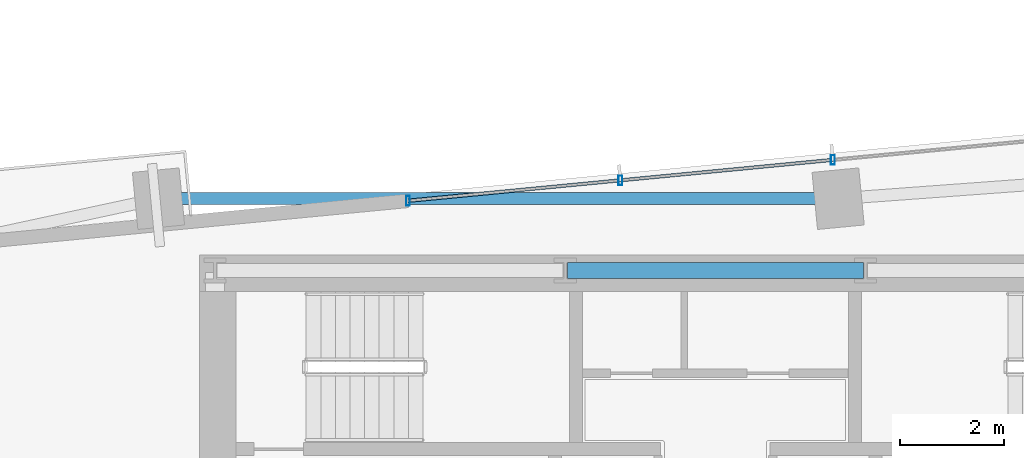
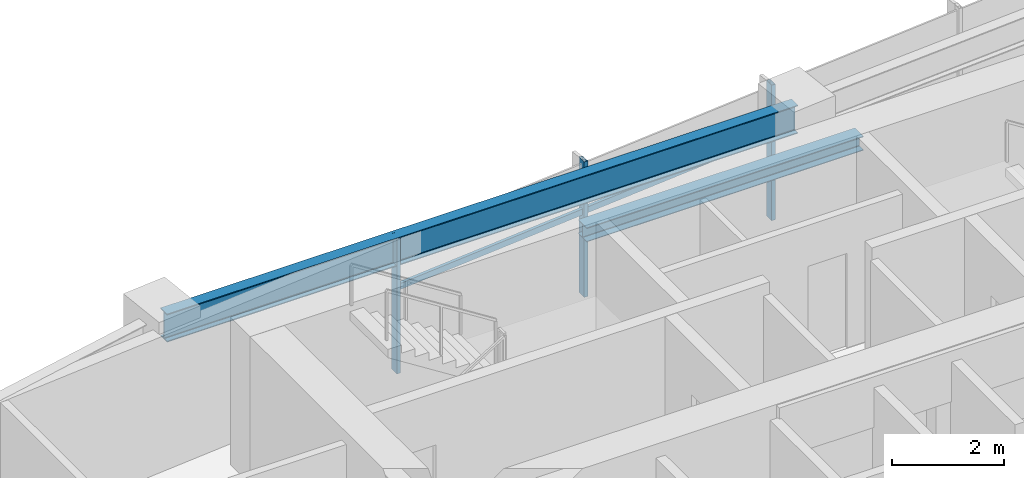
# One storey, part 10 of 25: 5 members, 2 beams, 1 element without a shape of its own.
"""IFC4 building model written with IfcOpenShell, lengths in metres."""

import ifcopenshell
import ifcopenshell.guid

model = None  # the IFC model being written
_history = None  # IfcOwnerHistory: only IFC2X3 demands one
_inside = {}  # id of a spatial element -> (the spatial element, [elements in it])
_under = {}  # id of a project, library or spatial element -> (it, [spatial elements below it])
_declared = {}  # id of a project -> (the project, [libraries it declares])
_typed = {}  # id of a type object -> (the type object, [elements of that type])
_made_of = {}  # id of a material, layer set ... -> (it, [elements and type objects made of it])


def new_model(schema):
    """Start an empty IFC model of exactly this schema.

    Asked for "IFC4X3", IfcOpenShell would pick the latest addendum, in which some entities
    have other attributes; the version numbers below select the first issue.
    IFC2X3 requires an IfcOwnerHistory on every rooted entity: one is made here for all.
    """
    global model, _history
    if schema == "IFC4X3":
        model = ifcopenshell.file(schema_version=(4, 3, 0, 0))
    else:
        model = ifcopenshell.file(schema=schema)
    _inside.clear()
    _under.clear()
    _declared.clear()
    _typed.clear()
    _made_of.clear()
    _history = None
    if model.schema == "IFC2X3":
        org = make("IfcOrganization", Name="unknown")
        user = make(
            "IfcPersonAndOrganization",
            ThePerson=make("IfcPerson", FamilyName="unknown"),
            TheOrganization=org,
        )
        app = make(
            "IfcApplication",
            ApplicationDeveloper=org,
            Version="unknown",
            ApplicationFullName="unknown",
            ApplicationIdentifier="unknown",
        )
        _history = make(
            "IfcOwnerHistory",
            OwningUser=user,
            OwningApplication=app,
            ChangeAction="ADDED",
            CreationDate=0,
        )
    return model


def make(cls, **values):
    """One entity of the class cls with the attributes given. An attribute that is None is left unset."""
    return model.create_entity(
        cls, **{name: value for name, value in values.items() if value is not None}
    )


def rooted(cls, **values):
    """An entity with a GlobalId (a new one), such as an element, a storey or a relation."""
    return make(cls, GlobalId=ifcopenshell.guid.new(), OwnerHistory=_history, **values)


def si_unit(unit_type, name, prefix=None):
    """IfcSIUnit, for example si_unit("LENGTHUNIT", "METRE", prefix="MILLI")."""
    return make("IfcSIUnit", UnitType=unit_type, Prefix=prefix, Name=name)


def assignment(units):
    """IfcUnitAssignment: the units of a project."""
    return None if units is None else make("IfcUnitAssignment", Units=units)


def point(xyz):
    """IfcCartesianPoint."""
    return None if xyz is None else make("IfcCartesianPoint", Coordinates=xyz)


def direction(xyz):
    """IfcDirection."""
    return None if xyz is None else make("IfcDirection", DirectionRatios=xyz)


def frame(location, z_axis=None, x_axis=None):
    """IfcAxis2Placement3D, a coordinate frame: its origin and axes. An axis left out is left unset."""
    return make(
        "IfcAxis2Placement3D",
        Location=point(location),
        Axis=direction(z_axis),
        RefDirection=direction(x_axis),
    )


def frame_2d(location, x_axis=None):
    """IfcAxis2Placement2D, a coordinate frame in the plane: its origin and x axis."""
    return make(
        "IfcAxis2Placement2D", Location=point(location), RefDirection=direction(x_axis)
    )


def origin():
    """The frame at (0, 0, 0) with its axes left unset."""
    return frame((0.0, 0.0, 0.0))


def origin_2d():
    """The frame at (0, 0) in the plane with its x axis left unset."""
    return frame_2d((0.0, 0.0))


def place(relative_to, where):
    """IfcLocalPlacement: puts the frame where relative to a parent placement (None: the world)."""
    return make(
        "IfcLocalPlacement", PlacementRelTo=relative_to, RelativePlacement=where
    )


def context(
    kind, dimensions, precision=None, world=None, true_north=None, identifier=None
):
    """IfcGeometricRepresentationContext, for example the 3D "Model" context."""
    return make(
        "IfcGeometricRepresentationContext",
        ContextIdentifier=identifier,
        ContextType=kind,
        CoordinateSpaceDimension=dimensions,
        Precision=precision,
        WorldCoordinateSystem=world,
        TrueNorth=true_north,
    )


def subcontext(parent, identifier, kind, view, scale=None):
    """IfcGeometricRepresentationSubContext, for example "Body" below "Model"."""
    return make(
        "IfcGeometricRepresentationSubContext",
        ContextIdentifier=identifier,
        ContextType=kind,
        ParentContext=parent,
        TargetScale=scale,
        TargetView=view,
    )


def project(units=None, contexts=None):
    """IfcProject with its units and contexts."""
    return rooted(
        "IfcProject",
        Name="project",
        RepresentationContexts=contexts,
        UnitsInContext=assignment(units),
    )


def spatial(cls, under=None, at=None, **own):
    """A site, building, storey or space (cls), placed at a placement, below another one or the project."""
    s = rooted(cls, ObjectPlacement=at, **own)
    if under is not None:
        _under.setdefault(under.id(), (under, []))[1].append(s)
    return s


def profile(cls, at=None, kind="AREA", **sizes):
    """A parametric profile (cls). Its sizes go by their IFC names, for example OverallWidth=200.0."""
    return make(cls, ProfileType=kind, Position=at, **sizes)


def hollow_rectangle(**sizes):
    """IfcRectangleHollowProfileDef."""
    return profile("IfcRectangleHollowProfileDef", **sizes)


def i_section(**sizes):
    """IfcIShapeProfileDef."""
    return profile("IfcIShapeProfileDef", **sizes)


def extrude(swept, where, along, depth):
    """IfcExtrudedAreaSolid: the profile swept, set in the frame where, extruded along a direction by depth."""
    return make(
        "IfcExtrudedAreaSolid",
        SweptArea=swept,
        Position=where,
        ExtrudedDirection=direction(along),
        Depth=depth,
    )


def shape(context_of_items, identifier, shape_type, items):
    """IfcShapeRepresentation: the items that make up one representation, for example the "Body"."""
    return make(
        "IfcShapeRepresentation",
        ContextOfItems=context_of_items,
        RepresentationIdentifier=identifier,
        RepresentationType=shape_type,
        Items=items,
    )


def source(mapping_origin, context_of_items, identifier, shape_type, items):
    """IfcRepresentationMap: a shape defined once, which mapped items show again and again."""
    return make(
        "IfcRepresentationMap",
        MappingOrigin=mapping_origin,
        MappedRepresentation=shape(context_of_items, identifier, shape_type, items),
    )


def transform(
    local_origin,
    x_axis=None,
    y_axis=None,
    z_axis=None,
    scale=None,
    scale2=None,
    scale3=None,
    uniform=True,
):
    """IfcCartesianTransformationOperator3D, or its non-uniform kind. x_axis, y_axis, z_axis: its Axis1, 2, 3."""
    if uniform:
        return make(
            "IfcCartesianTransformationOperator3D",
            Axis1=direction(x_axis),
            Axis2=direction(y_axis),
            LocalOrigin=point(local_origin),
            Scale=scale,
            Axis3=direction(z_axis),
        )
    return make(
        "IfcCartesianTransformationOperator3DnonUniform",
        Axis1=direction(x_axis),
        Axis2=direction(y_axis),
        LocalOrigin=point(local_origin),
        Scale=scale,
        Axis3=direction(z_axis),
        Scale2=scale2,
        Scale3=scale3,
    )


def mapped(mapping_source, mapping_target):
    """IfcMappedItem: shows the shape of a source again, moved by a transform."""
    return make(
        "IfcMappedItem", MappingSource=mapping_source, MappingTarget=mapping_target
    )


def material(Name=None, Category=None):
    """IfcMaterial."""
    return make("IfcMaterial", Name=Name, Category=Category)


def material_profile(
    of_material, cross_section, Name=None, Category=None, Priority=None
):
    """IfcMaterialProfile: a cross section and its material."""
    return make(
        "IfcMaterialProfile",
        Name=Name,
        Material=of_material,
        Profile=cross_section,
        Priority=Priority,
        Category=Category,
    )


def profile_set(profiles, Name=None, composite=None):
    """IfcMaterialProfileSet."""
    return make(
        "IfcMaterialProfileSet",
        Name=Name,
        MaterialProfiles=profiles,
        CompositeProfile=composite,
    )


def made_of(thing, what):
    """Note that an element or type object is made of a material, layer set ...; save() writes the relation."""
    if what is not None:
        _made_of.setdefault(what.id(), (what, []))[1].append(thing)
    return thing


def type_object(cls, material=None, **own):
    """A type object (cls), such as IfcWallType, which elements share."""
    return made_of(rooted(cls, **own), material)


def type_shapes(of_type, sources):
    """Give a type object the sources (RepresentationMaps) that its elements show as mapped items."""
    of_type.RepresentationMaps = sources


def element(
    cls,
    number,
    at=None,
    inside=None,
    cuts=None,
    type_object=None,
    material=None,
    context=None,
    identifier="Body",
    shape_type=None,
    held_by="IfcProductDefinitionShape",
    body=None,
    shapes=None,
    **own,
):
    """One element of the class cls, such as IfcWall. Its Tag is "e" and its number.

    at: its placement. inside: the storey or other place that contains it. cuts: it is an
    opening in that element (IfcRelVoidsElement). A single representation is given by context,
    identifier, shape_type and body (its items); several are given by shapes. held_by: the class
    of the entity that holds the representations. save() writes the other relations.
    """
    e = rooted(cls, Tag="e%d" % number, ObjectPlacement=at, **own)
    if body is not None:
        shapes = [shape(context, identifier, shape_type, body)]
    if shapes is not None:
        e.Representation = make(held_by, Representations=shapes)
    if inside is not None:
        _inside.setdefault(inside.id(), (inside, []))[1].append(e)
    if cuts is not None:
        rooted(
            "IfcRelVoidsElement", RelatingBuildingElement=cuts, RelatedOpeningElement=e
        )
    if type_object is not None:
        _typed.setdefault(type_object.id(), (type_object, []))[1].append(e)
    return made_of(e, material)


def aggregate(whole, parts):
    """IfcRelAggregates: a whole, such as a stair, and the parts it consists of."""
    return rooted("IfcRelAggregates", RelatingObject=whole, RelatedObjects=parts)


def save(model, path):
    """Write the relations noted so far, then the file.

    IfcRelAggregates (storeys below a building ...), IfcRelContainedInSpatialStructure (elements
    in a storey), IfcRelDefinesByType, IfcRelAssociatesMaterial and IfcRelDeclares: one each for
    every whole, place, type object, material and project.
    """
    for whole, parts in _under.values():
        aggregate(whole, parts)
    for where, things in _inside.values():
        rooted(
            "IfcRelContainedInSpatialStructure",
            RelatedElements=things,
            RelatingStructure=where,
        )
    for kind, things in _typed.values():
        rooted("IfcRelDefinesByType", RelatedObjects=things, RelatingType=kind)
    for what, things in _made_of.values():
        rooted("IfcRelAssociatesMaterial", RelatedObjects=things, RelatingMaterial=what)
    for by, libraries in _declared.values():
        rooted("IfcRelDeclares", RelatingContext=by, RelatedDefinitions=libraries)
    model.write(path)


model = new_model("IFC4")

# Units and contexts
model_context = context("Model", 3, precision=1e-05, world=origin(), true_north=direction((0.0, 1.0)))
body_context = subcontext(model_context, "Body", "Model", "MODEL_VIEW")
ifc_project = project(units=[si_unit("LENGTHUNIT", "METRE"), si_unit("AREAUNIT", "SQUARE_METRE"), si_unit("VOLUMEUNIT", "CUBIC_METRE"), si_unit("PLANEANGLEUNIT", "RADIAN"), si_unit("MASSUNIT", "GRAM", prefix="KILO")], contexts=[model_context])

# Site, building, storey
site_placement = place(None, origin())
site = spatial("IfcSite", under=ifc_project, at=site_placement, CompositionType="ELEMENT")
building_placement = place(site_placement, origin())
building = spatial("IfcBuilding", under=site, at=building_placement, Name="Astriad Promenade Condominiums", CompositionType="ELEMENT")
storey_placement = place(building_placement, frame((0.0, 0.0, 100.199951171875)))
storey = spatial("IfcBuildingStorey", under=building, at=storey_placement, Name="L28", CompositionType="ELEMENT", Elevation=100.199951171875)

# Beams
ifc_material_1 = material(Name="Steel ASTM A992 Grade 50", Category="steel")
ifc_material_profile_1 = material_profile(ifc_material_1, i_section(OverallWidth=0.3046875, OverallDepth=0.307861328125, WebThickness=0.010009765625, FlangeThickness=0.015380859375, FilletRadius=0.01513671875, at=origin_2d()), Name="W12X65")
ifc_profile_set_1 = profile_set([ifc_material_profile_1], Name="Steel ASTM A992 Grade 50")
beam_type_1 = type_object("IfcBeamType", Name="STEEL OPENING LINTEL W12X65", PredefinedType="LINTEL", material=ifc_profile_set_1)
shared_shape_1 = source(origin(), body_context, "Body", "SweptSolid", [
    extrude(i_section(OverallWidth=0.3046875, OverallDepth=0.307861328125, WebThickness=0.010009765625, FlangeThickness=0.015380859375, FilletRadius=0.01513671875, at=origin_2d()), origin(), (0.0, 0.0, 1.0), 5.68017578125),
])
type_shapes(beam_type_1, [shared_shape_1])
beam_1_placement = place(storey_placement, frame((33.159912109375, 24.0, 2.7861328125), z_axis=(1.0, 0.0, 0.0), x_axis=(0.0, 1.0, 0.0)))
element("IfcBeam", 1, at=beam_1_placement, inside=storey, type_object=beam_type_1, Name="Core Ring Beam CG-N2-L28", PredefinedType="LINTEL", context=body_context, shape_type="MappedRepresentation", body=[
    mapped(shared_shape_1, transform((0.0, 0.0, 0.0), scale=1.0)),
])
ifc_material_profile_2 = material_profile(ifc_material_1, i_section(OverallWidth=0.22900390625, OverallDepth=0.612060546875, WebThickness=0.011962890625, FlangeThickness=0.01953125, FilletRadius=0.017822265625, at=origin_2d()), Name="W24X84")
ifc_profile_set_2 = profile_set([ifc_material_profile_2], Name="Steel ASTM A992 Grade 50")
beam_type_2 = type_object("IfcBeamType", Name="STEEL SPANDREL BEAM W24X84", PredefinedType="SPANDREL", material=ifc_profile_set_2)
shared_shape_2 = source(origin(), body_context, "Body", "SweptSolid", [
    extrude(i_section(OverallWidth=0.22900390625, OverallDepth=0.612060546875, WebThickness=0.011962890625, FlangeThickness=0.01953125, FilletRadius=0.017822265625, at=origin_2d()), origin(), (0.0, 0.0, 1.0), 12.959716796875),
])
type_shapes(beam_type_2, [shared_shape_2])
beam_2_placement = place(storey_placement, frame((38.314697265625, 25.3798828125, 2.634033203125), z_axis=(-1.0, 0.0, 0.0), x_axis=(0.0, -1.0, 0.0)))
element("IfcBeam", 2, at=beam_2_placement, inside=storey, type_object=beam_type_2, Name="Perimeter Spandrel Beam SP-N2-L28", PredefinedType="SPANDREL", context=body_context, shape_type="MappedRepresentation", body=[
    mapped(shared_shape_2, transform((0.0, 0.0, 0.0), scale=1.0)),
])

# Curtain wall, members
ifc_material_2 = material(Name="Anodised aluminium Black Dark Glass Unitised", Category="aluminium")
curtain_wall_type = type_object("IfcCurtainWallType", Name="CW-B2-DARK", PredefinedType="USERDEFINED", material=ifc_material_2)
curtain_wall_placement = place(storey_placement, origin())
curtain_wall = element("IfcCurtainWall", 3, at=curtain_wall_placement, inside=storey, type_object=curtain_wall_type, Name="CW-L28-N", ObjectType="UNITISED_CURTAIN_WALL", PredefinedType="USERDEFINED")
ifc_material_3 = material(Name="Anodised aluminium 6063-T6 Black", Category="aluminium")
ifc_material_profile_3 = material_profile(ifc_material_3, hollow_rectangle(XDim=0.074951171875, YDim=0.18505859375, WallThickness=0.00439453125, at=origin_2d()), Name="ALU-MUL-75X185")
ifc_profile_set_3 = profile_set([ifc_material_profile_3], Name="Anodised aluminium 6063-T6 Black")
member_type_1 = type_object("IfcMemberType", Name="MUL-ALU-MUL-75X185", PredefinedType="MULLION", material=ifc_profile_set_3)
shared_shape_3 = source(origin(), body_context, "Body", "SweptSolid", [
    extrude(hollow_rectangle(XDim=0.074951171875, YDim=0.18505859375, WallThickness=0.00439453125, at=origin_2d()), origin(), (0.0, 0.0, 1.0), 2.93994140625),
])
type_shapes(member_type_1, [shared_shape_3])
member_1_placement = place(storey_placement, frame((30.101806640625, 25.339599609375, 0.0), z_axis=(0.0, 0.0, 1.0), x_axis=(1.0, 0.0, 0.0)))
member_1 = element("IfcMember", 4, at=member_1_placement, type_object=member_type_1, Name="CW-L28-N-MUL-00", PredefinedType="MULLION", context=body_context, shape_type="MappedRepresentation", body=[
    mapped(shared_shape_3, transform((0.0, 0.0, 0.0), scale=1.0)),
])
member_2_placement = place(storey_placement, frame((34.177734375, 25.732177734375, 0.0), z_axis=(0.0, 0.0, 1.0), x_axis=(1.0, 0.0, 0.0)))
member_2 = element("IfcMember", 5, at=member_2_placement, type_object=member_type_1, Name="CW-L28-N-MUL-01", PredefinedType="MULLION", context=body_context, shape_type="MappedRepresentation", body=[
    mapped(shared_shape_3, transform((0.0, 0.0, 0.0), scale=1.0)),
])
member_3_placement = place(storey_placement, frame((38.25390625, 26.12451171875, 0.0), z_axis=(0.0, 0.0, 1.0), x_axis=(1.0, 0.0, 0.0)))
member_3 = element("IfcMember", 6, at=member_3_placement, type_object=member_type_1, Name="CW-L28-N-MUL-02", PredefinedType="MULLION", context=body_context, shape_type="MappedRepresentation", body=[
    mapped(shared_shape_3, transform((0.0, 0.0, 0.0), scale=1.0)),
])
ifc_material_profile_4 = material_profile(ifc_material_3, hollow_rectangle(XDim=0.06494140625, YDim=0.1298828125, WallThickness=0.00390625, at=origin_2d()), Name="ALU-TRN-65X130")
ifc_profile_set_4 = profile_set([ifc_material_profile_4], Name="Anodised aluminium 6063-T6 Black")
member_type_2 = type_object("IfcMemberType", Name="TRN-ALU-TRN-65X130", PredefinedType="USERDEFINED", material=ifc_profile_set_4)
shared_shape_4 = source(origin(), body_context, "Body", "SweptSolid", [
    extrude(hollow_rectangle(XDim=0.06494140625, YDim=0.1298828125, WallThickness=0.00390625, at=origin_2d()), origin(), (0.0, 0.0, 1.0), 4.0947265625),
])
member_4_placement = place(storey_placement, frame((30.101806640625, 25.339599609375, 1.82275390625), z_axis=(0.995393613612, 0.095872592434, 0.0), x_axis=(-0.095872592434, 0.995393613612, 0.0)))
member_4 = element("IfcMember", 7, at=member_4_placement, type_object=member_type_2, Name="CW-L28-N-TRN-00-0", ObjectType="TRANSOM", PredefinedType="USERDEFINED", context=body_context, shape_type="MappedRepresentation", body=[
    mapped(shared_shape_4, transform((0.0, 0.0, 0.0), scale=1.0)),
])
shared_shape_5 = source(origin(), body_context, "Body", "SweptSolid", [
    extrude(hollow_rectangle(XDim=0.06494140625, YDim=0.1298828125, WallThickness=0.00390625, at=origin_2d()), origin(), (0.0, 0.0, 1.0), 4.094970703125),
])
type_shapes(member_type_2, [shared_shape_4, shared_shape_5])
member_5_placement = place(storey_placement, frame((34.177734375, 25.732177734375, 1.82275390625), z_axis=(0.995399849002, 0.095807831657, 0.0), x_axis=(-0.095807831657, 0.995399849002, 0.0)))
member_5 = element("IfcMember", 8, at=member_5_placement, type_object=member_type_2, Name="CW-L28-N-TRN-01-0", ObjectType="TRANSOM", PredefinedType="USERDEFINED", context=body_context, shape_type="MappedRepresentation", body=[
    mapped(shared_shape_5, transform((0.0, 0.0, 0.0), scale=1.0)),
])
aggregate(curtain_wall, [member_1, member_2, member_3, member_4, member_5])

save(model, "model.ifc")
